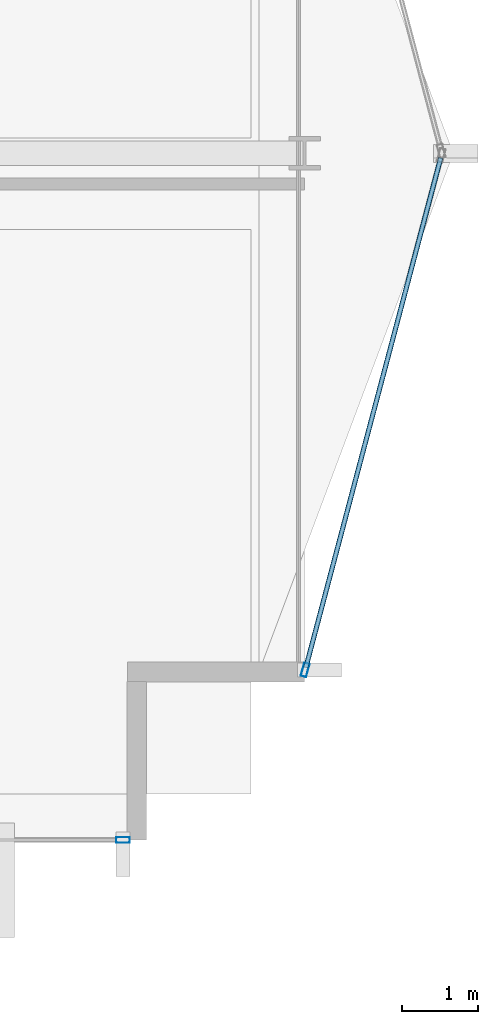
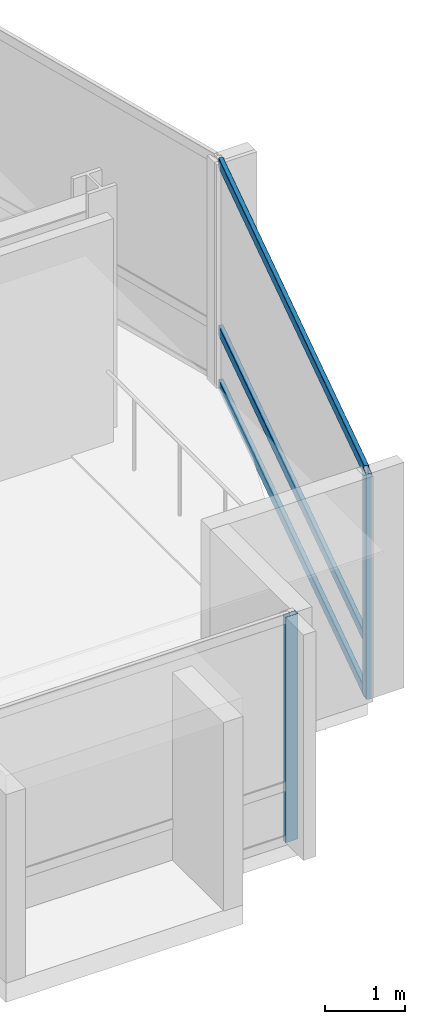
# One storey, part 11 of 28: 5 members, 2 elements without a shape of their own.
"""IFC4 building model written with IfcOpenShell, lengths in metres."""

from ifc_helpers import new_model, si_unit, direction, frame, origin, origin_2d, place, context, subcontext, project, spatial, hollow_rectangle, extrude, material, layer, layer_set, material_profile, profile_set, type_object, element, aggregate, save


model = new_model("IFC4")

# Units and contexts
model_context = context("Model", 3, precision=1e-05, world=origin(), true_north=direction((0.0, 1.0)))
body_context = subcontext(model_context, "Body", "Model", "MODEL_VIEW")
ifc_project = project(units=[si_unit("LENGTHUNIT", "METRE"), si_unit("AREAUNIT", "SQUARE_METRE"), si_unit("VOLUMEUNIT", "CUBIC_METRE"), si_unit("PLANEANGLEUNIT", "RADIAN"), si_unit("MASSUNIT", "GRAM", prefix="KILO")], contexts=[model_context])

# Site, building, storey
site_placement = place(None, origin())
site = spatial("IfcSite", under=ifc_project, at=site_placement, CompositionType="ELEMENT")
building_placement = place(site_placement, origin())
building = spatial("IfcBuilding", under=site, at=building_placement, Name="Solvaryn Broadcast Tower", CompositionType="ELEMENT")
storey_placement = place(building_placement, frame((0.0, 0.0, 154.39990234375)))
storey = spatial("IfcBuildingStorey", under=building, at=storey_placement, Name="L38", CompositionType="ELEMENT", Elevation=154.39990234375)

# Curtain wall, member
ifc_material_1 = material(Name="Aluminium and Terracotta Unitised Curtain Wall", Category="masonry")
ifc_layer = layer(ifc_material_1, 0.199951171875)
ifc_layer_set = layer_set([ifc_layer], Name="CW-SYS2-LOWMID")
curtain_wall_type = type_object("IfcCurtainWallType", Name="CW-SYS2-LOWMID", PredefinedType="NOTDEFINED", material=ifc_layer_set)
curtain_wall_1_placement = place(storey_placement, origin())
curtain_wall_1 = element("IfcCurtainWall", 1, at=curtain_wall_1_placement, inside=storey, type_object=curtain_wall_type, Name="L38 Curtain Wall S2", PredefinedType="NOTDEFINED")
ifc_material_2 = material(Name="Anodised Aluminium 6063-T6", Category="aluminium")
ifc_material_profile_1 = material_profile(ifc_material_2, hollow_rectangle(XDim=0.074951171875, YDim=0.179931640625, WallThickness=0.00390625, InnerFilletRadius=0.00390625, OuterFilletRadius=0.008056640625, at=origin_2d()))
ifc_profile_set_1 = profile_set([ifc_material_profile_1], Name="Anodised Aluminium 6063-T6")
member_type_1 = type_object("IfcMemberType", Name="CW-MUL-180", PredefinedType="MULLION", material=ifc_profile_set_1)
member_1_placement = place(storey_placement, frame((51.6201171875, 9.0, 0.0), z_axis=(0.0, 0.0, 1.0), x_axis=(0.0, 1.0, 0.0)))
member_1 = element("IfcMember", 2, at=member_1_placement, type_object=member_type_1, Name="CWS2 mullion 2", PredefinedType="MULLION", context=body_context, shape_type="SweptSolid", body=[
    extrude(hollow_rectangle(XDim=0.074951171875, YDim=0.179931640625, WallThickness=0.00390625, InnerFilletRadius=0.00390625, OuterFilletRadius=0.008056640625, at=origin_2d()), origin(), (0.0, 0.0, 1.0), 3.420166015625),
])
aggregate(curtain_wall_1, [member_1])

# Curtain wall, members
curtain_wall_2_placement = place(storey_placement, origin())
curtain_wall_2 = element("IfcCurtainWall", 3, at=curtain_wall_2_placement, inside=storey, type_object=curtain_wall_type, Name="L38 Curtain Wall ET2", PredefinedType="NOTDEFINED")
member_2_placement = place(storey_placement, frame((54.007568359375, 11.22900390625, 0.0), z_axis=(0.0, 0.0, 1.0), x_axis=(0.966705227863, -0.25589256031, 0.0)))
member_2 = element("IfcMember", 4, at=member_2_placement, type_object=member_type_1, Name="CWS2 mullion 2", PredefinedType="MULLION", context=body_context, shape_type="SweptSolid", body=[
    extrude(hollow_rectangle(XDim=0.074951171875, YDim=0.179931640625, WallThickness=0.00390625, InnerFilletRadius=0.00390625, OuterFilletRadius=0.008056640625, at=origin_2d()), origin(), (0.0, 0.0, 1.0), 3.420166015625),
])
ifc_material_3 = material(Name="Anodised Aluminium 6063-T6", Category="aluminium")
ifc_material_profile_2 = material_profile(ifc_material_3, hollow_rectangle(XDim=0.06494140625, YDim=0.14990234375, WallThickness=0.00390625, InnerFilletRadius=0.00390625, OuterFilletRadius=0.008056640625, at=origin_2d()))
ifc_profile_set_2 = profile_set([ifc_material_profile_2], Name="Anodised Aluminium 6063-T6")
member_type_2 = type_object("IfcMemberType", Name="CW-TRN-150", PredefinedType="USERDEFINED", material=ifc_profile_set_2)
member_3_placement = place(storey_placement, frame((55.78466796875, 17.94189453125, 0.030029296875), z_axis=(-0.255897413051, -0.966703943301, 0.0), x_axis=(0.966703943301, -0.255897413051, 0.0)))
member_3 = element("IfcMember", 5, at=member_3_placement, type_object=member_type_2, Name="CWS2 transom 1.1", ObjectType="TRANSOM", PredefinedType="USERDEFINED", context=body_context, shape_type="SweptSolid", body=[
    extrude(hollow_rectangle(XDim=0.06494140625, YDim=0.14990234375, WallThickness=0.00390625, InnerFilletRadius=0.00390625, OuterFilletRadius=0.008056640625, at=origin_2d()), origin(), (0.0, 0.0, 1.0), 6.9140625),
])
member_4_placement = place(storey_placement, frame((55.78466796875, 17.94189453125, 0.85009765625), z_axis=(-0.255897413051, -0.966703943301, 0.0), x_axis=(0.966703943301, -0.255897413051, 0.0)))
member_4 = element("IfcMember", 6, at=member_4_placement, type_object=member_type_2, Name="CWS2 transom 1.2", ObjectType="TRANSOM", PredefinedType="USERDEFINED", context=body_context, shape_type="SweptSolid", body=[
    extrude(hollow_rectangle(XDim=0.06494140625, YDim=0.14990234375, WallThickness=0.00390625, InnerFilletRadius=0.00390625, OuterFilletRadius=0.008056640625, at=origin_2d()), origin(), (0.0, 0.0, 1.0), 6.9140625),
])
member_5_placement = place(storey_placement, frame((55.78466796875, 17.94189453125, 3.39013671875), z_axis=(-0.255897413051, -0.966703943301, 0.0), x_axis=(0.966703943301, -0.255897413051, 0.0)))
member_5 = element("IfcMember", 7, at=member_5_placement, type_object=member_type_2, Name="CWS2 transom 1.3", ObjectType="TRANSOM", PredefinedType="USERDEFINED", context=body_context, shape_type="SweptSolid", body=[
    extrude(hollow_rectangle(XDim=0.06494140625, YDim=0.14990234375, WallThickness=0.00390625, InnerFilletRadius=0.00390625, OuterFilletRadius=0.008056640625, at=origin_2d()), origin(), (0.0, 0.0, 1.0), 6.9140625),
])
aggregate(curtain_wall_2, [member_2, member_3, member_4, member_5])

save(model, "model.ifc")
